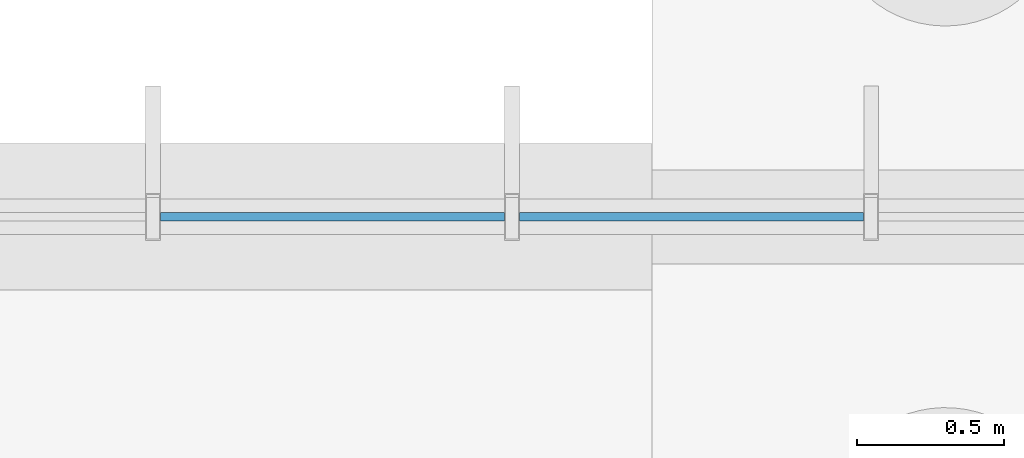
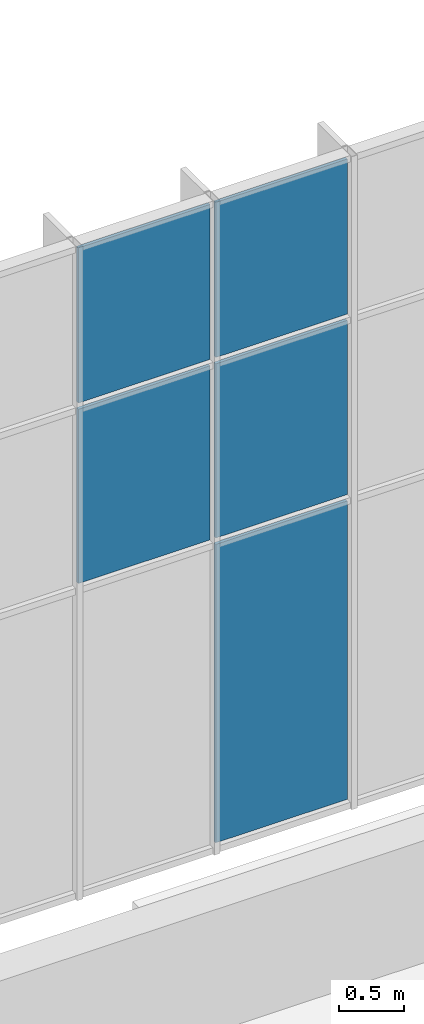
# One storey, part 95 of 136: 5 plates, 1 element without a shape of its own.
"""IFC4 building model written with IfcOpenShell, lengths in metres."""

from ifc_helpers import new_model, si_unit, direction, frame, origin, origin_2d, place, context, subcontext, project, spatial, rectangle, extrude, material, layer, layer_set, type_object, element, aggregate, save


model = new_model("IFC4")

# Units and contexts
model_context = context("Model", 3, precision=1e-05, world=origin(), true_north=direction((0.0, 1.0)))
body_context = subcontext(model_context, "Body", "Model", "MODEL_VIEW")
ifc_project = project(units=[si_unit("LENGTHUNIT", "METRE"), si_unit("AREAUNIT", "SQUARE_METRE"), si_unit("VOLUMEUNIT", "CUBIC_METRE"), si_unit("PLANEANGLEUNIT", "RADIAN"), si_unit("MASSUNIT", "GRAM", prefix="KILO")], contexts=[model_context])

# Site, building, storey
site_placement = place(None, origin())
site = spatial("IfcSite", under=ifc_project, at=site_placement, CompositionType="ELEMENT")
building_placement = place(site_placement, origin())
building = spatial("IfcBuilding", under=site, at=building_placement, Name="Solvenia Promenade Tram Depot", CompositionType="ELEMENT")
storey_placement = place(building_placement, origin())
storey = spatial("IfcBuildingStorey", under=building, at=storey_placement, Name="L00", CompositionType="ELEMENT", Elevation=0.0)

# Curtain wall, plates
ifc_material_1 = material(Name="Anodized aluminium AW-6063 T6", Category="aluminium")
ifc_layer_1 = layer(ifc_material_1, 0.159912109375, Name="Anodized aluminium AW-6063 T6", Category="aluminium")
ifc_layer_set_1 = layer_set([ifc_layer_1], Name="Anodized aluminium AW-6063 T6")
curtain_wall_type = type_object("IfcCurtainWallType", Name="CW-Channel-1200", PredefinedType="NOTDEFINED", material=ifc_layer_set_1)
curtain_wall_placement = place(storey_placement, origin())
curtain_wall = element("IfcCurtainWall", 1, at=curtain_wall_placement, inside=storey, type_object=curtain_wall_type, Name="North Translucent Channel-Glass Wall 17", PredefinedType="NOTDEFINED")
ifc_material_2 = material(Name="Low-iron translucent U-profile channel glass", Category="glass")
ifc_layer_2 = layer(ifc_material_2, 0.028076171875, Name="Low-iron translucent U-profile channel glass", Category="glass")
ifc_layer_set_2 = layer_set([ifc_layer_2], Name="Low-iron translucent U-profile channel glass")
plate_type = type_object("IfcPlateType", Name="CWP-Panel-1", PredefinedType="CURTAIN_PANEL", material=ifc_layer_set_2)
plate_1_placement = place(storey_placement, frame((124.361572265625, 126.0, 4.5302734375), z_axis=(0.0, 0.0, 1.0), x_axis=(1.0, 0.0, 0.0)))
plate_1 = element("IfcPlate", 2, at=plate_1_placement, type_object=plate_type, Name="CW-1 panel 4.2", PredefinedType="CURTAIN_PANEL", context=body_context, shape_type="SweptSolid", body=[
    extrude(rectangle(XDim=1.17138671875, YDim=0.028076171875, at=origin_2d()), origin(), (0.0, 0.0, 1.0), 1.639892578125),
])
plate_2_placement = place(storey_placement, frame((124.361572265625, 126.0, 6.22998046875), z_axis=(0.0, 0.0, 1.0), x_axis=(1.0, 0.0, 0.0)))
plate_2 = element("IfcPlate", 3, at=plate_2_placement, type_object=plate_type, Name="CW-1 panel 4.3", PredefinedType="CURTAIN_PANEL", context=body_context, shape_type="SweptSolid", body=[
    extrude(rectangle(XDim=1.17138671875, YDim=0.028076171875, at=origin_2d()), origin(), (0.0, 0.0, 1.0), 1.4599609375),
])
plate_3_placement = place(storey_placement, frame((125.5849609375, 126.0, 1.659912109375), z_axis=(0.0, 0.0, 1.0), x_axis=(1.0, 0.0, 0.0)))
plate_3 = element("IfcPlate", 4, at=plate_3_placement, type_object=plate_type, Name="CW-1 panel 5.1", PredefinedType="CURTAIN_PANEL", context=body_context, shape_type="SweptSolid", body=[
    extrude(rectangle(XDim=1.17138671875, YDim=0.028076171875, at=origin_2d()), origin(), (0.0, 0.0, 1.0), 2.81005859375),
])
plate_4_placement = place(storey_placement, frame((125.5849609375, 126.0, 4.5302734375), z_axis=(0.0, 0.0, 1.0), x_axis=(1.0, 0.0, 0.0)))
plate_4 = element("IfcPlate", 5, at=plate_4_placement, type_object=plate_type, Name="CW-1 panel 5.2", PredefinedType="CURTAIN_PANEL", context=body_context, shape_type="SweptSolid", body=[
    extrude(rectangle(XDim=1.17138671875, YDim=0.028076171875, at=origin_2d()), origin(), (0.0, 0.0, 1.0), 1.639892578125),
])
plate_5_placement = place(storey_placement, frame((125.5849609375, 126.0, 6.22998046875), z_axis=(0.0, 0.0, 1.0), x_axis=(1.0, 0.0, 0.0)))
plate_5 = element("IfcPlate", 6, at=plate_5_placement, type_object=plate_type, Name="CW-1 panel 5.3", PredefinedType="CURTAIN_PANEL", context=body_context, shape_type="SweptSolid", body=[
    extrude(rectangle(XDim=1.17138671875, YDim=0.028076171875, at=origin_2d()), origin(), (0.0, 0.0, 1.0), 1.4599609375),
])
aggregate(curtain_wall, [plate_1, plate_2, plate_3, plate_4, plate_5])

save(model, "model.ifc")
